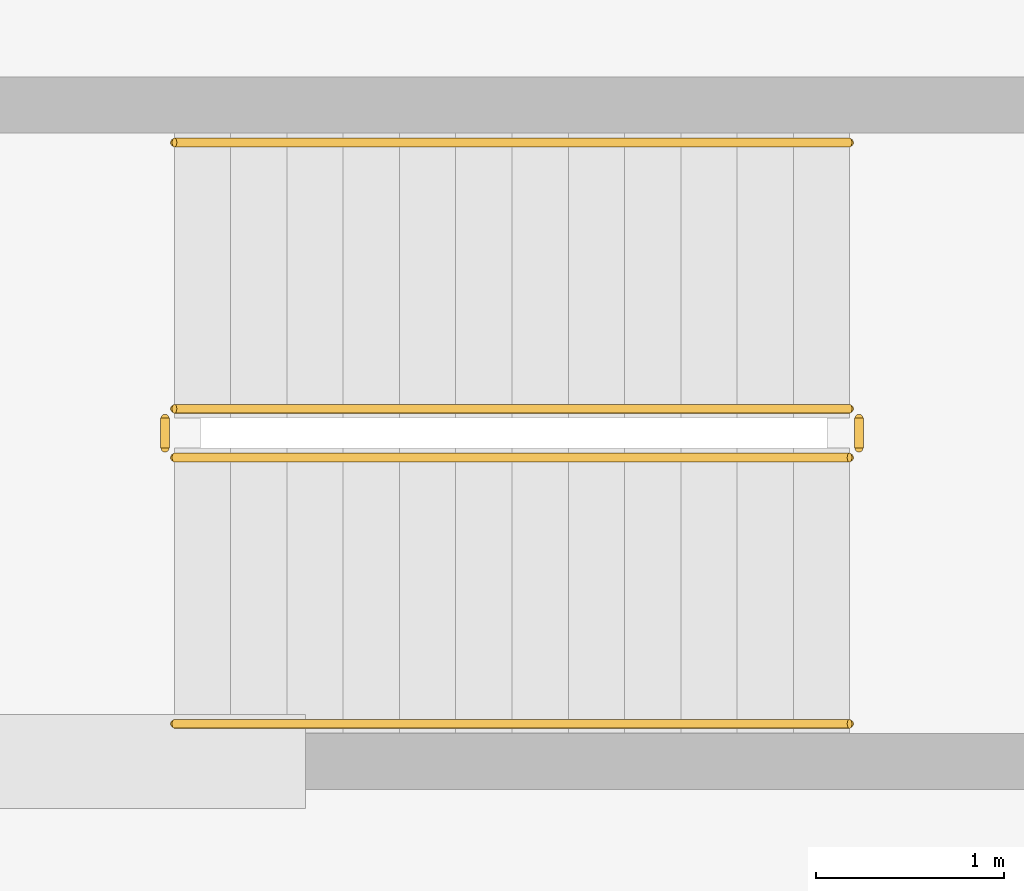
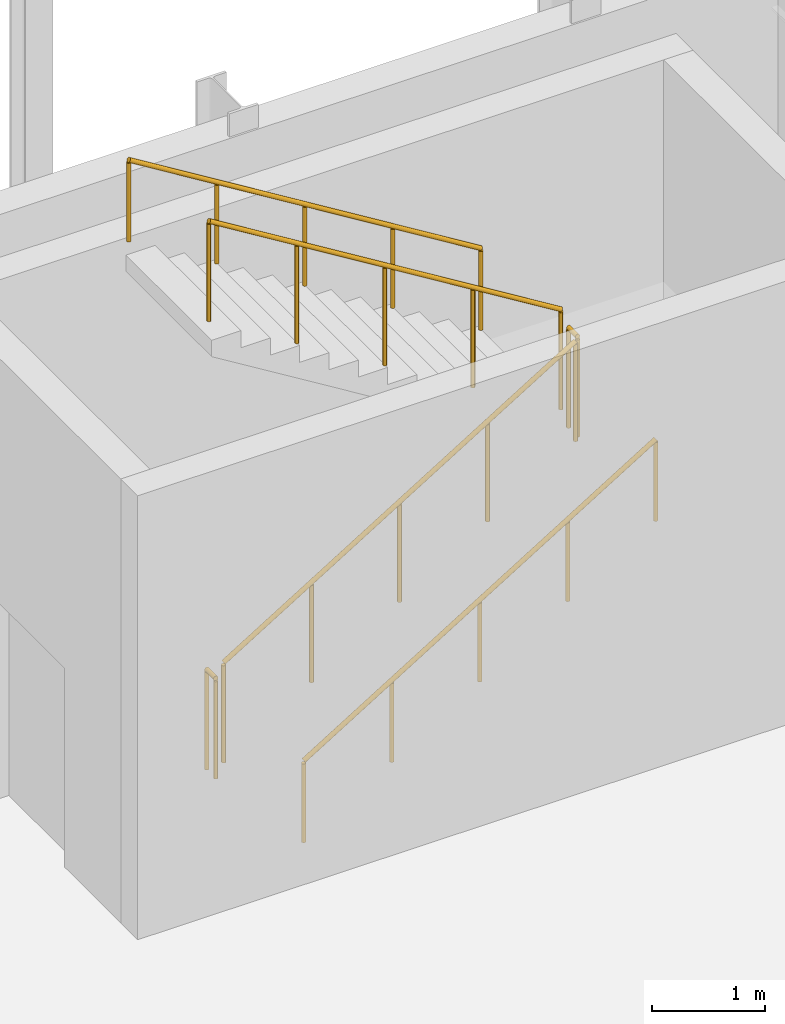
# One storey, part 52 of 60: 6 railings.
"""IFC4 building model written with IfcOpenShell, lengths in metres."""

from ifc_helpers import new_model, si_unit, direction, frame, origin, origin_2d, place, context, subcontext, project, spatial, circle, extrude, material, type_object, element, save


model = new_model("IFC4")

# Units and contexts
model_context = context("Model", 3, precision=1e-05, world=origin(), true_north=direction((0.0, 1.0)))
body_context = subcontext(model_context, "Body", "Model", "MODEL_VIEW")
ifc_project = project(units=[si_unit("LENGTHUNIT", "METRE"), si_unit("AREAUNIT", "SQUARE_METRE"), si_unit("VOLUMEUNIT", "CUBIC_METRE"), si_unit("PLANEANGLEUNIT", "RADIAN"), si_unit("MASSUNIT", "GRAM", prefix="KILO")], contexts=[model_context])

# Site, building, storey
site_placement = place(None, origin())
site = spatial("IfcSite", under=ifc_project, at=site_placement, CompositionType="ELEMENT")
building_placement = place(site_placement, origin())
building = spatial("IfcBuilding", under=site, at=building_placement, Name="Cymarion Research Institute", CompositionType="ELEMENT")
storey_placement = place(building_placement, origin())
storey = spatial("IfcBuildingStorey", under=building, at=storey_placement, Name="L00", CompositionType="ELEMENT", Elevation=0.0)

# Railings
ifc_material = material(Name="Steel S355", Category="steel")
railing_type_1 = type_object("IfcRailingType", Name="PAINTED STEEL STAIR GUARDRAIL GR1 1100MM", PredefinedType="GUARDRAIL", material=ifc_material)
railing_1_placement = place(storey_placement, frame((89.199951171875, 38.27001953125, 0.1845703125)))
element("IfcRailing", 1, at=railing_1_placement, inside=storey, type_object=railing_type_1, Name="L00 ST4 stair guard 1", PredefinedType="GUARDRAIL", context=body_context, shape_type="SweptSolid", body=[
    extrude(circle(Radius=0.02392578125, at=origin_2d()), frame((0.0, 0.0, 1.076171875), z_axis=(0.85167021472, 0.0, 0.524078090897), x_axis=(0.0, 1.0, 0.0)), (0.0, 0.0, 1.0), 4.22705078125),
    extrude(circle(Radius=0.02099609375, at=origin_2d()), origin(), (0.0, 0.0, 1.0), 1.052001953125),
    extrude(circle(Radius=0.02099609375, at=origin_2d()), frame((0.89990234375, 0.0, 0.5537109375)), (0.0, 0.0, 1.0), 1.052001953125),
    extrude(circle(Radius=0.02099609375, at=origin_2d()), frame((1.800048828125, 0.0, 1.107666015625)), (0.0, 0.0, 1.0), 1.052001953125),
    extrude(circle(Radius=0.02099609375, at=origin_2d()), frame((2.7001953125, 0.0, 1.66162109375)), (0.0, 0.0, 1.0), 1.052001953125),
    extrude(circle(Radius=0.02099609375, at=origin_2d()), frame((3.60009765625, 0.0, 2.21533203125)), (0.0, 0.0, 1.0), 1.052001953125),
])
railing_2_placement = place(storey_placement, frame((92.85009765625, 38.320068359375, 2.39990234375)))
element("IfcRailing", 2, at=railing_2_placement, inside=storey, type_object=railing_type_1, Name="L00 ST4 stair guard 2", PredefinedType="GUARDRAIL", context=body_context, shape_type="SweptSolid", body=[
    extrude(circle(Radius=0.02392578125, at=origin_2d()), frame((0.0, 0.0, 1.076171875), z_axis=(0.0, 1.0, 0.0), x_axis=(-1.0, 0.0, 0.0)), (0.0, 0.0, 1.0), 0.159912109375),
    extrude(circle(Radius=0.02099609375, at=origin_2d()), origin(), (0.0, 0.0, 1.0), 1.052001953125),
    extrude(circle(Radius=0.02099609375, at=origin_2d()), frame((0.0, 0.159912109375, 0.0)), (0.0, 0.0, 1.0), 1.052001953125),
])
railing_3_placement = place(storey_placement, frame((92.800048828125, 38.530029296875, 2.584716796875)))
element("IfcRailing", 3, at=railing_3_placement, inside=storey, type_object=railing_type_1, Name="L00 ST4 stair guard 3", PredefinedType="GUARDRAIL", context=body_context, shape_type="SweptSolid", body=[
    extrude(circle(Radius=0.02392578125, at=origin_2d()), frame((0.0, 0.0, 1.076171875), z_axis=(-0.85167021472, 0.0, 0.524078090897), x_axis=(0.0, -1.0, 0.0)), (0.0, 0.0, 1.0), 4.22705078125),
    extrude(circle(Radius=0.02099609375, at=origin_2d()), origin(), (0.0, 0.0, 1.0), 1.052001953125),
    extrude(circle(Radius=0.02099609375, at=origin_2d()), frame((-0.89990234375, 0.0, 0.5537109375)), (0.0, 0.0, 1.0), 1.052001953125),
    extrude(circle(Radius=0.02099609375, at=origin_2d()), frame((-1.800048828125, 0.0, 1.107666015625)), (0.0, 0.0, 1.0), 1.052001953125),
    extrude(circle(Radius=0.02099609375, at=origin_2d()), frame((-2.7001953125, 0.0, 1.66162109375)), (0.0, 0.0, 1.0), 1.052001953125),
    extrude(circle(Radius=0.02099609375, at=origin_2d()), frame((-3.60009765625, 0.0, 2.21533203125)), (0.0, 0.0, 1.0), 1.052001953125),
])
railing_4_placement = place(storey_placement, frame((89.14990234375, 38.320068359375, 0.0)))
element("IfcRailing", 4, at=railing_4_placement, inside=storey, type_object=railing_type_1, Name="L00 ST4 stair guard 4", PredefinedType="GUARDRAIL", context=body_context, shape_type="SweptSolid", body=[
    extrude(circle(Radius=0.02392578125, at=origin_2d()), frame((0.0, 0.0, 1.076171875), z_axis=(0.0, 1.0, 0.0), x_axis=(-1.0, 0.0, 0.0)), (0.0, 0.0, 1.0), 0.159912109375),
    extrude(circle(Radius=0.02099609375, at=origin_2d()), origin(), (0.0, 0.0, 1.0), 1.052001953125),
    extrude(circle(Radius=0.02099609375, at=origin_2d()), frame((0.0, 0.159912109375, 0.0)), (0.0, 0.0, 1.0), 1.052001953125),
])
railing_type_2 = type_object("IfcRailingType", Name="STAINLESS STEEL STAIR HANDRAIL HR1 900MM", PredefinedType="HANDRAIL", material=ifc_material)
railing_5_placement = place(storey_placement, frame((89.199951171875, 36.85009765625, 0.1845703125)))
element("IfcRailing", 5, at=railing_5_placement, inside=storey, type_object=railing_type_2, Name="L00 ST4 stair handrail 1", PredefinedType="HANDRAIL", context=body_context, shape_type="SweptSolid", body=[
    extrude(circle(Radius=0.02392578125, at=origin_2d()), frame((0.0, 0.0, 0.8759765625), z_axis=(0.85167021472, 0.0, 0.524078090897), x_axis=(0.0, 1.0, 0.0)), (0.0, 0.0, 1.0), 4.22705078125),
    extrude(circle(Radius=0.02099609375, at=origin_2d()), origin(), (0.0, 0.0, 1.0), 0.851806640625),
    extrude(circle(Radius=0.02099609375, at=origin_2d()), frame((0.89990234375, 0.0, 0.5537109375)), (0.0, 0.0, 1.0), 0.851806640625),
    extrude(circle(Radius=0.02099609375, at=origin_2d()), frame((1.800048828125, 0.0, 1.107666015625)), (0.0, 0.0, 1.0), 0.851806640625),
    extrude(circle(Radius=0.02099609375, at=origin_2d()), frame((2.7001953125, 0.0, 1.66162109375)), (0.0, 0.0, 1.0), 0.851806640625),
    extrude(circle(Radius=0.02099609375, at=origin_2d()), frame((3.60009765625, 0.0, 2.21533203125)), (0.0, 0.0, 1.0), 0.851806640625),
])
railing_6_placement = place(storey_placement, frame((92.800048828125, 39.949951171875, 2.584716796875)))
element("IfcRailing", 6, at=railing_6_placement, inside=storey, type_object=railing_type_2, Name="L00 ST4 stair handrail 2", PredefinedType="HANDRAIL", context=body_context, shape_type="SweptSolid", body=[
    extrude(circle(Radius=0.02392578125, at=origin_2d()), frame((0.0, 0.0, 0.8759765625), z_axis=(-0.85167021472, 0.0, 0.524078090897), x_axis=(0.0, -1.0, 0.0)), (0.0, 0.0, 1.0), 4.22705078125),
    extrude(circle(Radius=0.02099609375, at=origin_2d()), origin(), (0.0, 0.0, 1.0), 0.851806640625),
    extrude(circle(Radius=0.02099609375, at=origin_2d()), frame((-0.89990234375, 0.0, 0.5537109375)), (0.0, 0.0, 1.0), 0.851806640625),
    extrude(circle(Radius=0.02099609375, at=origin_2d()), frame((-1.800048828125, 0.0, 1.107666015625)), (0.0, 0.0, 1.0), 0.851806640625),
    extrude(circle(Radius=0.02099609375, at=origin_2d()), frame((-2.7001953125, 0.0, 1.66162109375)), (0.0, 0.0, 1.0), 0.851806640625),
    extrude(circle(Radius=0.02099609375, at=origin_2d()), frame((-3.60009765625, 0.0, 2.21533203125)), (0.0, 0.0, 1.0), 0.851806640625),
])

save(model, "model.ifc")
